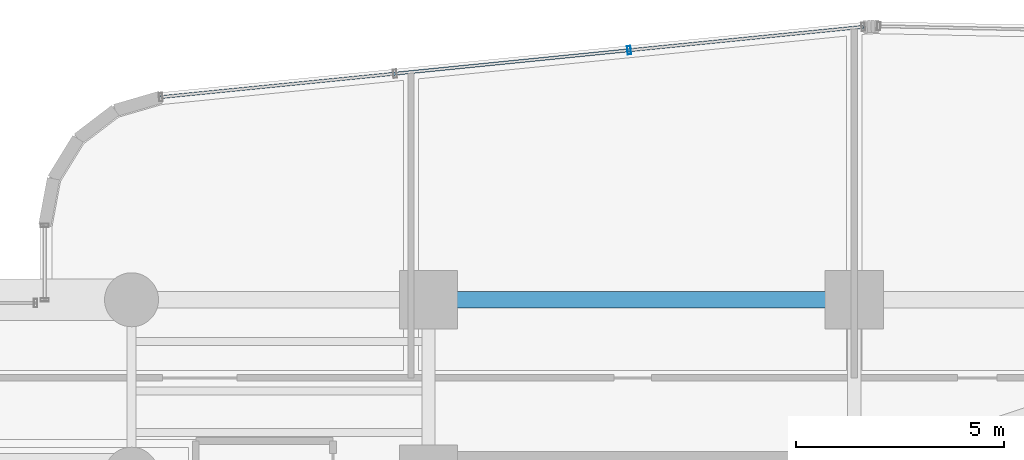
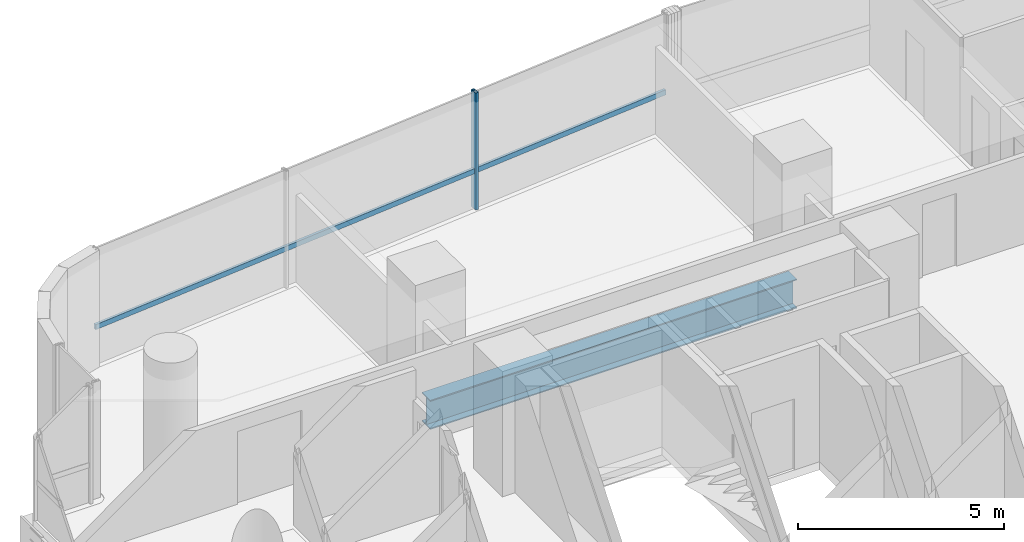
# One storey, part 20 of 41: 2 members, 1 beam, 1 element without a shape of its own.
"""IFC4 building model written with IfcOpenShell, lengths in metres."""

from ifc_helpers import new_model, si_unit, direction, frame, origin, origin_2d, place, context, subcontext, project, spatial, hollow_rectangle, i_section, extrude, source, transform, mapped, material, material_profile, profile_set, type_object, element, aggregate, save


model = new_model("IFC4")

# Units and contexts
model_context = context("Model", 3, precision=1e-05, world=origin(), true_north=direction((0.0, 1.0)))
body_context = subcontext(model_context, "Body", "Model", "MODEL_VIEW")
ifc_project = project(units=[si_unit("LENGTHUNIT", "METRE"), si_unit("AREAUNIT", "SQUARE_METRE"), si_unit("VOLUMEUNIT", "CUBIC_METRE"), si_unit("PLANEANGLEUNIT", "RADIAN"), si_unit("MASSUNIT", "GRAM", prefix="KILO")], contexts=[model_context])

# Site, building, storey
site_placement = place(None, origin())
site = spatial("IfcSite", under=ifc_project, at=site_placement, CompositionType="ELEMENT")
building_placement = place(site_placement, origin())
building = spatial("IfcBuilding", under=site, at=building_placement, Name="Valdorenza Pilgrim Sanctuary Tower", CompositionType="ELEMENT")
storey_placement = place(building_placement, frame((0.0, 0.0, 88.89990234375)))
storey = spatial("IfcBuildingStorey", under=building, at=storey_placement, Name="L22", CompositionType="ELEMENT", Elevation=88.89990234375)

# Beam
ifc_material_1 = material(Name="Steel ASTM A992 Grade 50", Category="steel")
ifc_material_profile_1 = material_profile(ifc_material_1, i_section(OverallWidth=0.39990234375, OverallDepth=0.862060546875, WebThickness=0.019775390625, FlangeThickness=0.032470703125, at=origin_2d()), Name="W33X221")
ifc_profile_set_1 = profile_set([ifc_material_profile_1], Name="Steel ASTM A992 Grade 50")
beam_type = type_object("IfcBeamType", Name="STR-BM-GRD-W33", PredefinedType="BEAM", material=ifc_profile_set_1)
shared_shape_1 = source(origin(), body_context, "Body", "SweptSolid", [
    extrude(i_section(OverallWidth=0.39990234375, OverallDepth=0.862060546875, WebThickness=0.019775390625, FlangeThickness=0.032470703125, at=origin_2d()), origin(), (0.0, 0.0, 1.0), 10.25),
])
beam_placement = place(storey_placement, frame((-22.64990234375, 14.800048828125, -0.6708984375), z_axis=(1.0, 0.0, 0.0), x_axis=(0.0, 1.0, 0.0)))
element("IfcBeam", 1, at=beam_placement, inside=storey, type_object=beam_type, Name="L22 Floor Girder CA-XC-N2", PredefinedType="BEAM", context=body_context, shape_type="MappedRepresentation", body=[
    mapped(shared_shape_1, transform((0.0, 0.0, 0.0), x_axis=(1.0, 0.0, 0.0), y_axis=(0.0, 1.0, 0.0), z_axis=(0.0, 0.0, 1.0), scale=1.0)),
])

# Curtain wall, members
ifc_material_2 = material(Name="Curtain-wall IGU glazing", Category="glass")
curtain_wall_type = type_object("IfcCurtainWallType", Name="CW-SYS-02", PredefinedType="NOTDEFINED", material=ifc_material_2)
curtain_wall_placement = place(storey_placement, origin())
curtain_wall = element("IfcCurtainWall", 2, at=curtain_wall_placement, inside=storey, type_object=curtain_wall_type, Name="L22 Curtain Wall CW-L22-1-6", PredefinedType="NOTDEFINED")
ifc_material_3 = material(Name="Anodised aluminium AW-6060", Category="aluminium")
ifc_material_profile_2 = material_profile(ifc_material_3, hollow_rectangle(XDim=0.074951171875, YDim=0.14990234375, WallThickness=0.00390625, at=origin_2d()), Name="ALU-T 150x75x4")
ifc_profile_set_2 = profile_set([ifc_material_profile_2], Name="Anodised aluminium AW-6060")
member_type_1 = type_object("IfcMemberType", Name="CW-TRN-02", PredefinedType="USERDEFINED", material=ifc_profile_set_2)
shared_shape_2 = source(origin(), body_context, "Body", "SweptSolid", [
    extrude(hollow_rectangle(XDim=0.074951171875, YDim=0.14990234375, WallThickness=0.00390625, at=origin_2d()), origin(), (0.0, 0.0, 1.0), 17.0),
])
member_1_placement = place(storey_placement, frame((-29.097412109375, 19.6796875, 1.1201171875), z_axis=(0.99503662143, 0.099509406661, 0.0), x_axis=(-0.099509406661, 0.99503662143, 0.0)))
member_1 = element("IfcMember", 3, at=member_1_placement, type_object=member_type_1, Name="CW-L22-1-6 Transom 1", ObjectType="TRANSOM", PredefinedType="USERDEFINED", context=body_context, shape_type="MappedRepresentation", body=[
    mapped(shared_shape_2, transform((0.0, 0.0, 0.0), x_axis=(1.0, 0.0, 0.0), y_axis=(0.0, 1.0, 0.0), z_axis=(0.0, 0.0, 1.0), scale=1.0)),
])
ifc_material_profile_3 = material_profile(ifc_material_3, hollow_rectangle(XDim=0.0849609375, YDim=0.199951171875, WallThickness=0.0048828125, at=origin_2d()), Name="ALU-M 200x85x5")
ifc_profile_set_3 = profile_set([ifc_material_profile_3], Name="Anodised aluminium AW-6060")
member_type_2 = type_object("IfcMemberType", Name="CW-MUL-02", PredefinedType="MULLION", material=ifc_profile_set_3)
shared_shape_3 = source(origin(), body_context, "Body", "SweptSolid", [
    extrude(hollow_rectangle(XDim=0.0849609375, YDim=0.199951171875, WallThickness=0.0048828125, at=origin_2d()), origin(), (0.0, 0.0, 1.0), 3.460205078125),
])
member_2_placement = place(storey_placement, frame((-17.820556640625, 20.8076171875, 0.0), z_axis=(0.0, 0.0, 1.0), x_axis=(0.995038220239, 0.099493418189, 0.0)))
member_2 = element("IfcMember", 4, at=member_2_placement, type_object=member_type_2, Name="CW-L22-1-6 Mullion 3", PredefinedType="MULLION", context=body_context, shape_type="MappedRepresentation", body=[
    mapped(shared_shape_3, transform((0.0, 0.0, 0.0), x_axis=(1.0, 0.0, 0.0), y_axis=(0.0, 1.0, 0.0), z_axis=(0.0, 0.0, 1.0), scale=1.0)),
])
aggregate(curtain_wall, [member_2, member_1])

save(model, "model.ifc")
